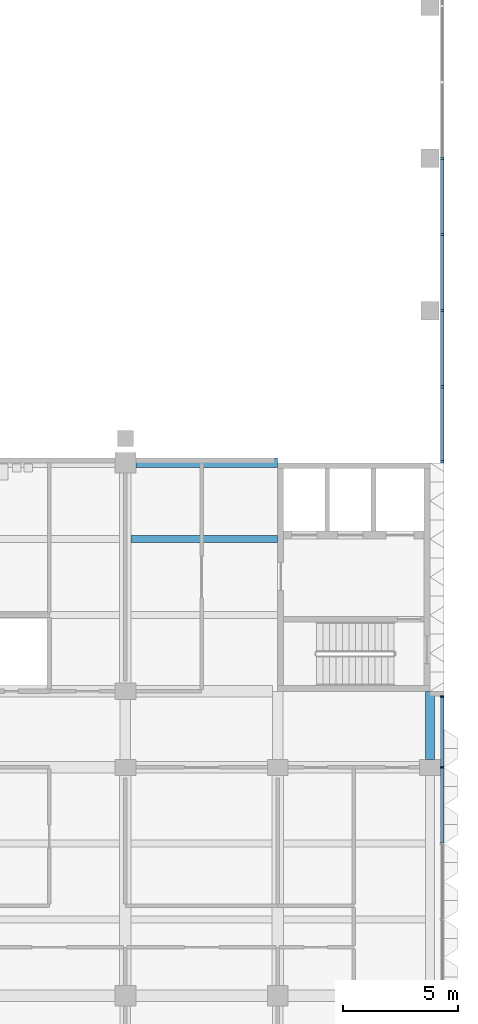
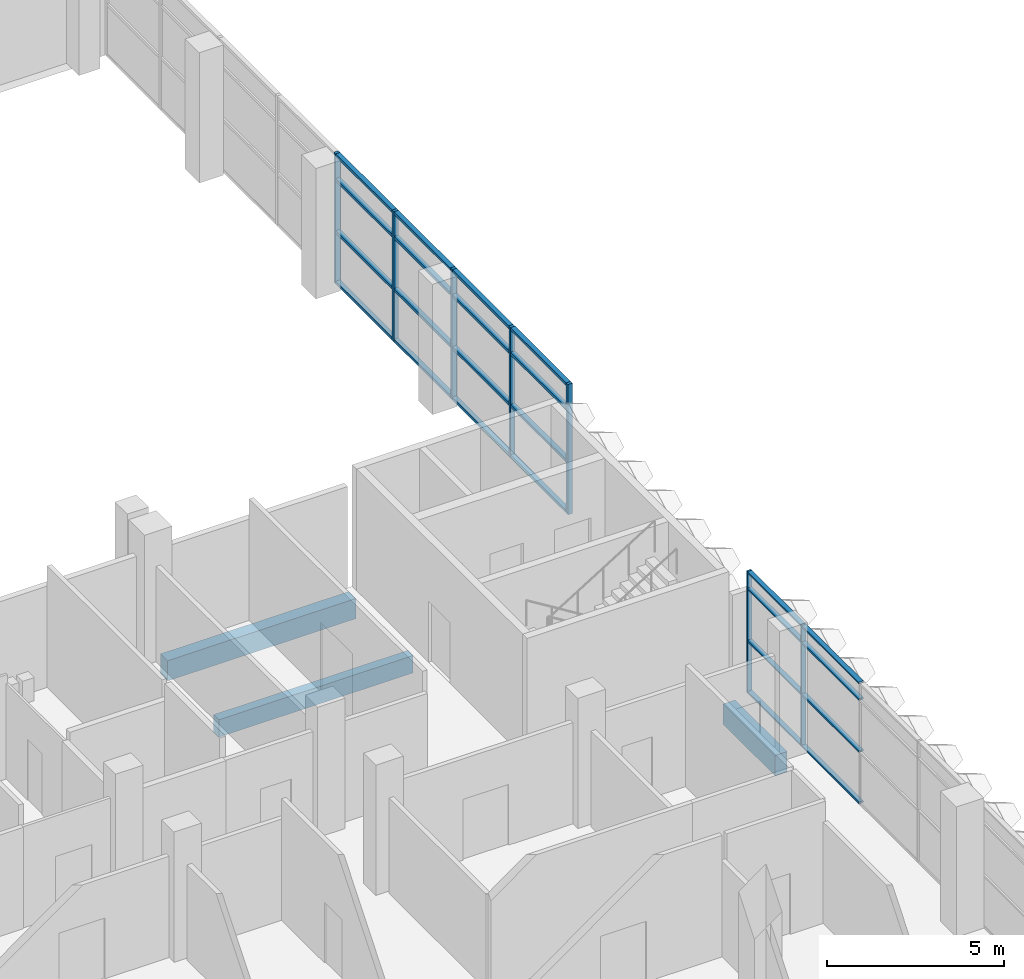
# One storey, part 14 of 87: 31 members, 3 beams, 2 elements without a shape of their own.
"""IFC4 building model written with IfcOpenShell, lengths in metres."""

from ifc_helpers import new_model, si_unit, direction, frame, origin, origin_2d, place, context, subcontext, project, spatial, rectangle, extrude, material, material_profile, profile_set, type_object, element, aggregate, save


model = new_model("IFC4")

# Units and contexts
model_context = context("Model", 3, precision=1e-05, world=origin(), true_north=direction((0.0, 1.0)))
body_context = subcontext(model_context, "Body", "Model", "MODEL_VIEW")
ifc_project = project(units=[si_unit("LENGTHUNIT", "METRE"), si_unit("AREAUNIT", "SQUARE_METRE"), si_unit("VOLUMEUNIT", "CUBIC_METRE"), si_unit("PLANEANGLEUNIT", "RADIAN"), si_unit("MASSUNIT", "GRAM", prefix="KILO")], contexts=[model_context])

# Site, building, storey
site_placement = place(None, origin())
site = spatial("IfcSite", under=ifc_project, at=site_placement, CompositionType="ELEMENT")
building_placement = place(site_placement, origin())
building = spatial("IfcBuilding", under=site, at=building_placement, Name="Lantern Court Research Institute", CompositionType="ELEMENT")
storey_placement = place(building_placement, frame((0.0, 0.0, 5.39990234375)))
storey = spatial("IfcBuildingStorey", under=building, at=storey_placement, Name="L01", CompositionType="ELEMENT", Elevation=5.39990234375)

# Curtain wall, members
ifc_material_1 = material(Name="Aluminium alloy 6063-T6", Category="aluminium")
curtain_wall_type_1 = type_object("IfcCurtainWallType", Name="Curtain wall 26200 x 4500 x 150 aluminium frame", PredefinedType="NOTDEFINED", material=ifc_material_1)
curtain_wall_1_placement = place(storey_placement, origin())
curtain_wall_1 = element("IfcCurtainWall", 1, at=curtain_wall_1_placement, inside=storey, type_object=curtain_wall_type_1, Name="Curtain wall CW017", PredefinedType="NOTDEFINED")
ifc_material_2 = material(Name="Aluminium alloy 6063-T6", Category="aluminium")
ifc_material_profile_1 = material_profile(ifc_material_2, rectangle(XDim=0.14990234375, YDim=0.10009765625, at=origin_2d()), Name="Mullion 150 x 100")
ifc_profile_set_1 = profile_set([ifc_material_profile_1], Name="Aluminium alloy 6063-T6")
member_type_1 = type_object("IfcMemberType", Name="Mullion 150 x 100 aluminium", PredefinedType="MULLION", material=ifc_profile_set_1)
member_1_placement = place(storey_placement, frame((79.72509765625, 23.14990234375, 0.0), z_axis=(0.0, 0.0, 1.0), x_axis=(1.0, 0.0, 0.0)))
member_1 = element("IfcMember", 2, at=member_1_placement, type_object=member_type_1, Name="CW017 mullion 1", PredefinedType="MULLION", context=body_context, shape_type="SweptSolid", body=[
    extrude(rectangle(XDim=0.14990234375, YDim=0.10009765625, at=origin_2d()), origin(), (0.0, 0.0, 1.0), 4.5),
])
member_2_placement = place(storey_placement, frame((79.72509765625, 26.39990234375, 0.0), z_axis=(0.0, 0.0, 1.0), x_axis=(1.0, 0.0, 0.0)))
member_2 = element("IfcMember", 3, at=member_2_placement, type_object=member_type_1, Name="CW017 mullion 2", PredefinedType="MULLION", context=body_context, shape_type="SweptSolid", body=[
    extrude(rectangle(XDim=0.14990234375, YDim=0.10009765625, at=origin_2d()), origin(), (0.0, 0.0, 1.0), 4.5),
])
member_3_placement = place(storey_placement, frame((79.72509765625, 29.699951171875, 0.0), z_axis=(0.0, 0.0, 1.0), x_axis=(1.0, 0.0, 0.0)))
member_3 = element("IfcMember", 4, at=member_3_placement, type_object=member_type_1, Name="CW017 mullion 3", PredefinedType="MULLION", context=body_context, shape_type="SweptSolid", body=[
    extrude(rectangle(XDim=0.14990234375, YDim=0.10009765625, at=origin_2d()), origin(), (0.0, 0.0, 1.0), 4.5),
])
member_4_placement = place(storey_placement, frame((79.72509765625, 33.0, 0.0), z_axis=(0.0, 0.0, 1.0), x_axis=(1.0, 0.0, 0.0)))
member_4 = element("IfcMember", 5, at=member_4_placement, type_object=member_type_1, Name="CW017 mullion 4", PredefinedType="MULLION", context=body_context, shape_type="SweptSolid", body=[
    extrude(rectangle(XDim=0.14990234375, YDim=0.10009765625, at=origin_2d()), origin(), (0.0, 0.0, 1.0), 4.5),
])
member_5_placement = place(storey_placement, frame((79.72509765625, 36.300048828125, 0.0), z_axis=(0.0, 0.0, 1.0), x_axis=(1.0, 0.0, 0.0)))
member_5 = element("IfcMember", 6, at=member_5_placement, type_object=member_type_1, Name="CW017 mullion 5", PredefinedType="MULLION", context=body_context, shape_type="SweptSolid", body=[
    extrude(rectangle(XDim=0.14990234375, YDim=0.10009765625, at=origin_2d()), origin(), (0.0, 0.0, 1.0), 4.5),
])

ifc_material_3 = material(Name="Aluminium alloy 6063-T6", Category="aluminium")
curtain_wall_type_2 = type_object("IfcCurtainWallType", Name="Curtain wall 21250 x 4200 x 150 aluminium frame", PredefinedType="NOTDEFINED", material=ifc_material_3)
curtain_wall_2_placement = place(storey_placement, origin())
curtain_wall_2 = element("IfcCurtainWall", 7, at=curtain_wall_2_placement, inside=storey, type_object=curtain_wall_type_2, Name="Curtain wall CW032", PredefinedType="NOTDEFINED")
ifc_material_4 = material(Name="Aluminium alloy 6063-T6", Category="aluminium")
ifc_material_profile_2 = material_profile(ifc_material_4, rectangle(XDim=0.14990234375, YDim=0.06005859375, at=origin_2d()), Name="Mullion 150 x 60")
ifc_profile_set_2 = profile_set([ifc_material_profile_2], Name="Aluminium alloy 6063-T6")
member_type_2 = type_object("IfcMemberType", Name="Mullion 150 x 60 aluminium", PredefinedType="MULLION", material=ifc_profile_set_2)
member_6_placement = place(storey_placement, frame((79.72509765625, 9.89990234375, 0.0), z_axis=(0.0, 0.0, 1.0), x_axis=(1.0, 0.0, 0.0)))
member_6 = element("IfcMember", 8, at=member_6_placement, type_object=member_type_2, Name="CW032 mullion 7", PredefinedType="MULLION", context=body_context, shape_type="SweptSolid", body=[
    extrude(rectangle(XDim=0.14990234375, YDim=0.06005859375, at=origin_2d()), origin(), (0.0, 0.0, 1.0), 4.2001953125),
])
member_7_placement = place(storey_placement, frame((79.72509765625, 12.969970703125, 0.0), z_axis=(0.0, 0.0, 1.0), x_axis=(1.0, 0.0, 0.0)))
member_7 = element("IfcMember", 9, at=member_7_placement, type_object=member_type_2, Name="CW032 mullion 8", PredefinedType="MULLION", context=body_context, shape_type="SweptSolid", body=[
    extrude(rectangle(XDim=0.14990234375, YDim=0.06005859375, at=origin_2d()), origin(), (0.0, 0.0, 1.0), 4.2001953125),
])

# Beams
ifc_material_5 = material(Name="Concrete C40/50", Category="concrete")
ifc_material_profile_3 = material_profile(ifc_material_5, rectangle(XDim=0.39990234375, YDim=0.699951171875, at=origin_2d()), Name="RC beam 400 x 700")
ifc_profile_set_3 = profile_set([ifc_material_profile_3], Name="Concrete C40/50")
beam_type_1 = type_object("IfcBeamType", Name="RC edge beam 400 x 700", PredefinedType="BEAM", material=ifc_profile_set_3)
beam_1_placement = place(storey_placement, frame((79.199951171875, 10.25, -0.64990234375), z_axis=(0.0, 1.0, 0.0), x_axis=(-1.0, 0.0, 0.0)))
element("IfcBeam", 10, at=beam_1_placement, inside=storey, type_object=beam_type_1, Name="Edge beam L01 grid 13/B-C", PredefinedType="BEAM", context=body_context, shape_type="SweptSolid", body=[
    extrude(rectangle(XDim=0.39990234375, YDim=0.699951171875, at=origin_2d()), origin(), (0.0, 0.0, 1.0), 2.949951171875),
])
beam_2_placement = place(storey_placement, frame((66.449951171875, 23.10009765625, -0.64990234375), z_axis=(1.0, 0.0, 0.0), x_axis=(0.0, 1.0, 0.0)))
element("IfcBeam", 11, at=beam_2_placement, inside=storey, type_object=beam_type_1, Name="Edge beam L01 grid D/11-12", PredefinedType="BEAM", context=body_context, shape_type="SweptSolid", body=[
    extrude(rectangle(XDim=0.39990234375, YDim=0.699951171875, at=origin_2d()), origin(), (0.0, 0.0, 1.0), 6.150146484375),
])
ifc_material_6 = material(Name="Concrete C40/50", Category="concrete")
ifc_material_profile_4 = material_profile(ifc_material_6, rectangle(XDim=0.300048828125, YDim=0.60009765625, at=origin_2d()), Name="RC beam 300 x 600")
ifc_profile_set_4 = profile_set([ifc_material_profile_4], Name="Concrete C40/50")
beam_type_2 = type_object("IfcBeamType", Name="RC secondary beam 300 x 600", PredefinedType="BEAM", material=ifc_profile_set_4)
beam_3_placement = place(storey_placement, frame((66.25, 19.800048828125, -0.599853515625), z_axis=(1.0, 0.0, 0.0), x_axis=(0.0, 1.0, 0.0)))
element("IfcBeam", 12, at=beam_3_placement, inside=storey, type_object=beam_type_2, Name="Secondary beam L01 grids 11-12 / C-D, line 2", PredefinedType="BEAM", context=body_context, shape_type="SweptSolid", body=[
    extrude(rectangle(XDim=0.300048828125, YDim=0.60009765625, at=origin_2d()), origin(), (0.0, 0.0, 1.0), 6.35009765625),
])

# Member
ifc_material_7 = material(Name="Aluminium alloy 6063-T6", Category="aluminium")
ifc_material_profile_5 = material_profile(ifc_material_7, rectangle(XDim=0.14990234375, YDim=0.10009765625, at=origin_2d()), Name="Transom 150 x 100")
ifc_profile_set_5 = profile_set([ifc_material_profile_5], Name="Aluminium alloy 6063-T6")
member_type_3 = type_object("IfcMemberType", Name="Transom 150 x 100 aluminium", PredefinedType="USERDEFINED", material=ifc_profile_set_5)
member_8_placement = place(storey_placement, frame((79.72509765625, 26.35009765625, 0.050048828125), z_axis=(0.0, -1.0, 0.0), x_axis=(1.0, 0.0, 0.0)))
member_8 = element("IfcMember", 13, at=member_8_placement, type_object=member_type_3, Name="CW017 transom 1.1", ObjectType="TRANSOM", PredefinedType="USERDEFINED", context=body_context, shape_type="SweptSolid", body=[
    extrude(rectangle(XDim=0.14990234375, YDim=0.10009765625, at=origin_2d()), origin(), (0.0, 0.0, 1.0), 3.150146484375),
])

member_9_placement = place(storey_placement, frame((79.72509765625, 26.35009765625, 1.800048828125), z_axis=(0.0, -1.0, 0.0), x_axis=(1.0, 0.0, 0.0)))
member_9 = element("IfcMember", 14, at=member_9_placement, type_object=member_type_3, Name="CW017 transom 1.2", ObjectType="TRANSOM", PredefinedType="USERDEFINED", context=body_context, shape_type="SweptSolid", body=[
    extrude(rectangle(XDim=0.14990234375, YDim=0.10009765625, at=origin_2d()), origin(), (0.0, 0.0, 1.0), 3.150146484375),
])

member_10_placement = place(storey_placement, frame((79.72509765625, 26.35009765625, 3.60009765625), z_axis=(0.0, -1.0, 0.0), x_axis=(1.0, 0.0, 0.0)))
member_10 = element("IfcMember", 15, at=member_10_placement, type_object=member_type_3, Name="CW017 transom 1.3", ObjectType="TRANSOM", PredefinedType="USERDEFINED", context=body_context, shape_type="SweptSolid", body=[
    extrude(rectangle(XDim=0.14990234375, YDim=0.10009765625, at=origin_2d()), origin(), (0.0, 0.0, 1.0), 3.150146484375),
])

member_11_placement = place(storey_placement, frame((79.72509765625, 26.35009765625, 4.4501953125), z_axis=(0.0, -1.0, 0.0), x_axis=(1.0, 0.0, 0.0)))
member_11 = element("IfcMember", 16, at=member_11_placement, type_object=member_type_3, Name="CW017 transom 1.4", ObjectType="TRANSOM", PredefinedType="USERDEFINED", context=body_context, shape_type="SweptSolid", body=[
    extrude(rectangle(XDim=0.14990234375, YDim=0.10009765625, at=origin_2d()), origin(), (0.0, 0.0, 1.0), 3.150146484375),
])

member_12_placement = place(storey_placement, frame((79.72509765625, 29.64990234375, 0.050048828125), z_axis=(0.0, -1.0, 0.0), x_axis=(1.0, 0.0, 0.0)))
member_12 = element("IfcMember", 17, at=member_12_placement, type_object=member_type_3, Name="CW017 transom 2.1", ObjectType="TRANSOM", PredefinedType="USERDEFINED", context=body_context, shape_type="SweptSolid", body=[
    extrude(rectangle(XDim=0.14990234375, YDim=0.10009765625, at=origin_2d()), origin(), (0.0, 0.0, 1.0), 3.199951171875),
])

member_13_placement = place(storey_placement, frame((79.72509765625, 29.64990234375, 1.800048828125), z_axis=(0.0, -1.0, 0.0), x_axis=(1.0, 0.0, 0.0)))
member_13 = element("IfcMember", 18, at=member_13_placement, type_object=member_type_3, Name="CW017 transom 2.2", ObjectType="TRANSOM", PredefinedType="USERDEFINED", context=body_context, shape_type="SweptSolid", body=[
    extrude(rectangle(XDim=0.14990234375, YDim=0.10009765625, at=origin_2d()), origin(), (0.0, 0.0, 1.0), 3.199951171875),
])

member_14_placement = place(storey_placement, frame((79.72509765625, 29.64990234375, 3.60009765625), z_axis=(0.0, -1.0, 0.0), x_axis=(1.0, 0.0, 0.0)))
member_14 = element("IfcMember", 19, at=member_14_placement, type_object=member_type_3, Name="CW017 transom 2.3", ObjectType="TRANSOM", PredefinedType="USERDEFINED", context=body_context, shape_type="SweptSolid", body=[
    extrude(rectangle(XDim=0.14990234375, YDim=0.10009765625, at=origin_2d()), origin(), (0.0, 0.0, 1.0), 3.199951171875),
])

member_15_placement = place(storey_placement, frame((79.72509765625, 29.64990234375, 4.4501953125), z_axis=(0.0, -1.0, 0.0), x_axis=(1.0, 0.0, 0.0)))
member_15 = element("IfcMember", 20, at=member_15_placement, type_object=member_type_3, Name="CW017 transom 2.4", ObjectType="TRANSOM", PredefinedType="USERDEFINED", context=body_context, shape_type="SweptSolid", body=[
    extrude(rectangle(XDim=0.14990234375, YDim=0.10009765625, at=origin_2d()), origin(), (0.0, 0.0, 1.0), 3.199951171875),
])

member_16_placement = place(storey_placement, frame((79.72509765625, 32.949951171875, 0.050048828125), z_axis=(0.0, -1.0, 0.0), x_axis=(1.0, 0.0, 0.0)))
member_16 = element("IfcMember", 21, at=member_16_placement, type_object=member_type_3, Name="CW017 transom 3.1", ObjectType="TRANSOM", PredefinedType="USERDEFINED", context=body_context, shape_type="SweptSolid", body=[
    extrude(rectangle(XDim=0.14990234375, YDim=0.10009765625, at=origin_2d()), origin(), (0.0, 0.0, 1.0), 3.199951171875),
])

member_17_placement = place(storey_placement, frame((79.72509765625, 32.949951171875, 1.800048828125), z_axis=(0.0, -1.0, 0.0), x_axis=(1.0, 0.0, 0.0)))
member_17 = element("IfcMember", 22, at=member_17_placement, type_object=member_type_3, Name="CW017 transom 3.2", ObjectType="TRANSOM", PredefinedType="USERDEFINED", context=body_context, shape_type="SweptSolid", body=[
    extrude(rectangle(XDim=0.14990234375, YDim=0.10009765625, at=origin_2d()), origin(), (0.0, 0.0, 1.0), 3.199951171875),
])

member_18_placement = place(storey_placement, frame((79.72509765625, 32.949951171875, 3.60009765625), z_axis=(0.0, -1.0, 0.0), x_axis=(1.0, 0.0, 0.0)))
member_18 = element("IfcMember", 23, at=member_18_placement, type_object=member_type_3, Name="CW017 transom 3.3", ObjectType="TRANSOM", PredefinedType="USERDEFINED", context=body_context, shape_type="SweptSolid", body=[
    extrude(rectangle(XDim=0.14990234375, YDim=0.10009765625, at=origin_2d()), origin(), (0.0, 0.0, 1.0), 3.199951171875),
])

member_19_placement = place(storey_placement, frame((79.72509765625, 32.949951171875, 4.4501953125), z_axis=(0.0, -1.0, 0.0), x_axis=(1.0, 0.0, 0.0)))
member_19 = element("IfcMember", 24, at=member_19_placement, type_object=member_type_3, Name="CW017 transom 3.4", ObjectType="TRANSOM", PredefinedType="USERDEFINED", context=body_context, shape_type="SweptSolid", body=[
    extrude(rectangle(XDim=0.14990234375, YDim=0.10009765625, at=origin_2d()), origin(), (0.0, 0.0, 1.0), 3.199951171875),
])

member_20_placement = place(storey_placement, frame((79.72509765625, 36.25, 0.050048828125), z_axis=(0.0, -1.0, 0.0), x_axis=(1.0, 0.0, 0.0)))
member_20 = element("IfcMember", 25, at=member_20_placement, type_object=member_type_3, Name="CW017 transom 4.1", ObjectType="TRANSOM", PredefinedType="USERDEFINED", context=body_context, shape_type="SweptSolid", body=[
    extrude(rectangle(XDim=0.14990234375, YDim=0.10009765625, at=origin_2d()), origin(), (0.0, 0.0, 1.0), 3.199951171875),
])

member_21_placement = place(storey_placement, frame((79.72509765625, 36.25, 1.800048828125), z_axis=(0.0, -1.0, 0.0), x_axis=(1.0, 0.0, 0.0)))
member_21 = element("IfcMember", 26, at=member_21_placement, type_object=member_type_3, Name="CW017 transom 4.2", ObjectType="TRANSOM", PredefinedType="USERDEFINED", context=body_context, shape_type="SweptSolid", body=[
    extrude(rectangle(XDim=0.14990234375, YDim=0.10009765625, at=origin_2d()), origin(), (0.0, 0.0, 1.0), 3.199951171875),
])

member_22_placement = place(storey_placement, frame((79.72509765625, 36.25, 3.60009765625), z_axis=(0.0, -1.0, 0.0), x_axis=(1.0, 0.0, 0.0)))
member_22 = element("IfcMember", 27, at=member_22_placement, type_object=member_type_3, Name="CW017 transom 4.3", ObjectType="TRANSOM", PredefinedType="USERDEFINED", context=body_context, shape_type="SweptSolid", body=[
    extrude(rectangle(XDim=0.14990234375, YDim=0.10009765625, at=origin_2d()), origin(), (0.0, 0.0, 1.0), 3.199951171875),
])

member_23_placement = place(storey_placement, frame((79.72509765625, 36.25, 4.4501953125), z_axis=(0.0, -1.0, 0.0), x_axis=(1.0, 0.0, 0.0)))
member_23 = element("IfcMember", 28, at=member_23_placement, type_object=member_type_3, Name="CW017 transom 4.4", ObjectType="TRANSOM", PredefinedType="USERDEFINED", context=body_context, shape_type="SweptSolid", body=[
    extrude(rectangle(XDim=0.14990234375, YDim=0.10009765625, at=origin_2d()), origin(), (0.0, 0.0, 1.0), 3.199951171875),
])

aggregate(curtain_wall_1, [member_1, member_2, member_3, member_4, member_5, member_8, member_9, member_10, member_11, member_12, member_13, member_14, member_15, member_16, member_17, member_18, member_19, member_20, member_21, member_22, member_23])

ifc_material_8 = material(Name="Aluminium alloy 6063-T6", Category="aluminium")
ifc_material_profile_6 = material_profile(ifc_material_8, rectangle(XDim=0.14990234375, YDim=0.06005859375, at=origin_2d()), Name="Transom 150 x 60")
ifc_profile_set_6 = profile_set([ifc_material_profile_6], Name="Aluminium alloy 6063-T6")
member_type_4 = type_object("IfcMemberType", Name="Transom 150 x 60 aluminium", PredefinedType="USERDEFINED", material=ifc_profile_set_6)
member_24_placement = place(storey_placement, frame((79.72509765625, 9.8701171875, 0.030029296875), z_axis=(0.0, -1.0, 0.0), x_axis=(1.0, 0.0, 0.0)))
member_24 = element("IfcMember", 29, at=member_24_placement, type_object=member_type_4, Name="CW032 transom 6.1", ObjectType="TRANSOM", PredefinedType="USERDEFINED", context=body_context, shape_type="SweptSolid", body=[
    extrude(rectangle(XDim=0.14990234375, YDim=0.06005859375, at=origin_2d()), origin(), (0.0, 0.0, 1.0), 3.240234375),
])

member_25_placement = place(storey_placement, frame((79.72509765625, 9.8701171875, 1.800048828125), z_axis=(0.0, -1.0, 0.0), x_axis=(1.0, 0.0, 0.0)))
member_25 = element("IfcMember", 30, at=member_25_placement, type_object=member_type_4, Name="CW032 transom 6.2", ObjectType="TRANSOM", PredefinedType="USERDEFINED", context=body_context, shape_type="SweptSolid", body=[
    extrude(rectangle(XDim=0.14990234375, YDim=0.06005859375, at=origin_2d()), origin(), (0.0, 0.0, 1.0), 3.240234375),
])

member_26_placement = place(storey_placement, frame((79.72509765625, 9.8701171875, 3.60009765625), z_axis=(0.0, -1.0, 0.0), x_axis=(1.0, 0.0, 0.0)))
member_26 = element("IfcMember", 31, at=member_26_placement, type_object=member_type_4, Name="CW032 transom 6.3", ObjectType="TRANSOM", PredefinedType="USERDEFINED", context=body_context, shape_type="SweptSolid", body=[
    extrude(rectangle(XDim=0.14990234375, YDim=0.06005859375, at=origin_2d()), origin(), (0.0, 0.0, 1.0), 3.240234375),
])

member_27_placement = place(storey_placement, frame((79.72509765625, 9.8701171875, 4.170166015625), z_axis=(0.0, -1.0, 0.0), x_axis=(1.0, 0.0, 0.0)))
member_27 = element("IfcMember", 32, at=member_27_placement, type_object=member_type_4, Name="CW032 transom 6.4", ObjectType="TRANSOM", PredefinedType="USERDEFINED", context=body_context, shape_type="SweptSolid", body=[
    extrude(rectangle(XDim=0.14990234375, YDim=0.06005859375, at=origin_2d()), origin(), (0.0, 0.0, 1.0), 3.240234375),
])

member_28_placement = place(storey_placement, frame((79.72509765625, 12.93994140625, 0.030029296875), z_axis=(0.0, -1.0, 0.0), x_axis=(1.0, 0.0, 0.0)))
member_28 = element("IfcMember", 33, at=member_28_placement, type_object=member_type_4, Name="CW032 transom 7.1", ObjectType="TRANSOM", PredefinedType="USERDEFINED", context=body_context, shape_type="SweptSolid", body=[
    extrude(rectangle(XDim=0.14990234375, YDim=0.06005859375, at=origin_2d()), origin(), (0.0, 0.0, 1.0), 3.010009765625),
])

member_29_placement = place(storey_placement, frame((79.72509765625, 12.93994140625, 1.800048828125), z_axis=(0.0, -1.0, 0.0), x_axis=(1.0, 0.0, 0.0)))
member_29 = element("IfcMember", 34, at=member_29_placement, type_object=member_type_4, Name="CW032 transom 7.2", ObjectType="TRANSOM", PredefinedType="USERDEFINED", context=body_context, shape_type="SweptSolid", body=[
    extrude(rectangle(XDim=0.14990234375, YDim=0.06005859375, at=origin_2d()), origin(), (0.0, 0.0, 1.0), 3.010009765625),
])

member_30_placement = place(storey_placement, frame((79.72509765625, 12.93994140625, 3.60009765625), z_axis=(0.0, -1.0, 0.0), x_axis=(1.0, 0.0, 0.0)))
member_30 = element("IfcMember", 35, at=member_30_placement, type_object=member_type_4, Name="CW032 transom 7.3", ObjectType="TRANSOM", PredefinedType="USERDEFINED", context=body_context, shape_type="SweptSolid", body=[
    extrude(rectangle(XDim=0.14990234375, YDim=0.06005859375, at=origin_2d()), origin(), (0.0, 0.0, 1.0), 3.010009765625),
])

member_31_placement = place(storey_placement, frame((79.72509765625, 12.93994140625, 4.170166015625), z_axis=(0.0, -1.0, 0.0), x_axis=(1.0, 0.0, 0.0)))
member_31 = element("IfcMember", 36, at=member_31_placement, type_object=member_type_4, Name="CW032 transom 7.4", ObjectType="TRANSOM", PredefinedType="USERDEFINED", context=body_context, shape_type="SweptSolid", body=[
    extrude(rectangle(XDim=0.14990234375, YDim=0.06005859375, at=origin_2d()), origin(), (0.0, 0.0, 1.0), 3.010009765625),
])

aggregate(curtain_wall_2, [member_6, member_7, member_24, member_25, member_26, member_27, member_28, member_29, member_30, member_31])

save(model, "model.ifc")
